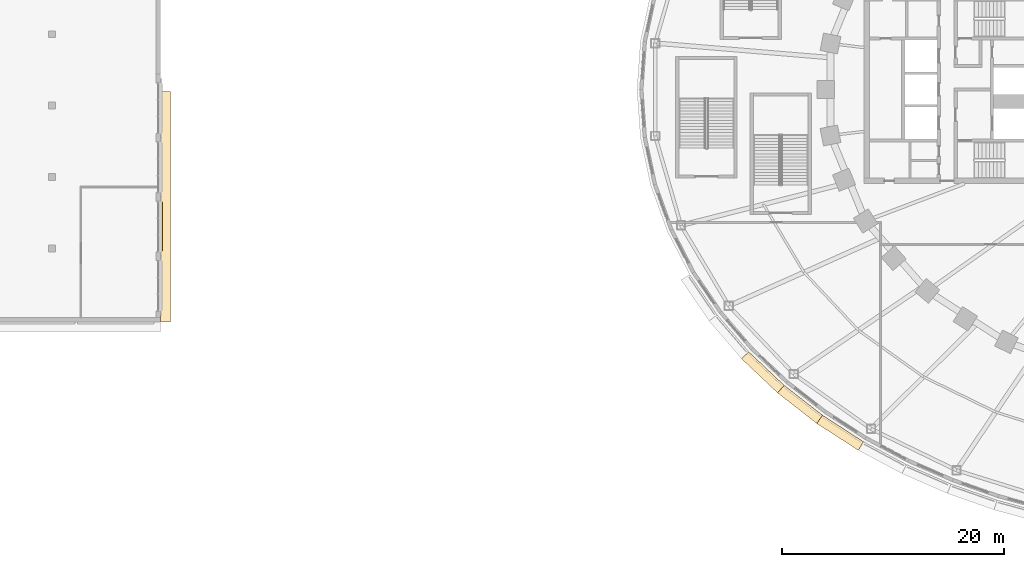
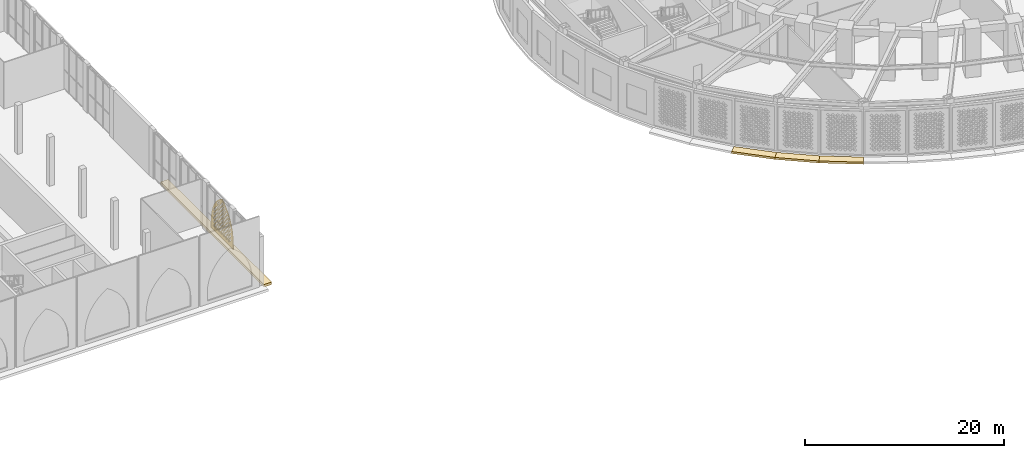
# One storey, part 35 of 74: 5 coverings.
"""IFC4 building model written with IfcOpenShell, lengths in metres."""

from ifc_helpers import new_model, si_unit, direction, frame, origin, place, context, subcontext, project, spatial, polyline, outline, extrude, material, layer, layer_set, type_object, element, save


model = new_model("IFC4")

# Units and contexts
model_context = context("Model", 3, precision=1e-05, world=origin(), true_north=direction((0.0, 1.0)))
body_context = subcontext(model_context, "Body", "Model", "MODEL_VIEW")
ifc_project = project(units=[si_unit("LENGTHUNIT", "METRE"), si_unit("AREAUNIT", "SQUARE_METRE"), si_unit("VOLUMEUNIT", "CUBIC_METRE"), si_unit("PLANEANGLEUNIT", "RADIAN"), si_unit("MASSUNIT", "GRAM", prefix="KILO")], contexts=[model_context])

# Site, building, storey
site_placement = place(None, origin())
site = spatial("IfcSite", under=ifc_project, at=site_placement, CompositionType="ELEMENT")
building_placement = place(site_placement, origin())
building = spatial("IfcBuilding", under=site, at=building_placement, Name="Noorbagh Ring Tower", CompositionType="ELEMENT")
storey_placement = place(building_placement, frame((0.0, 0.0, 13.5)))
storey = spatial("IfcBuildingStorey", under=building, at=storey_placement, Name="L02", CompositionType="ELEMENT", Elevation=13.5)

# Coverings
ifc_material_1 = material(Name="Red sandstone eave", Category="masonry")
covering_type_1 = type_object("IfcCoveringType", Name="STH-CHHAJJA", PredefinedType="USERDEFINED", material=ifc_material_1)
covering_1_placement = place(storey_placement, frame((0.0, 0.0, -0.300048828125)))
element("IfcCovering", 1, at=covering_1_placement, inside=storey, type_object=covering_type_1, Name="Chhajja eave", ObjectType="CHHAJJA", PredefinedType="USERDEFINED", context=body_context, shape_type="SweptSolid", body=[
    extrude(outline(polyline([(-95.0, -21.0), (-95.0, -0.199951171875), (-94.10009765625, -0.199951171875), (-94.10009765625, -21.0), (-95.0, -21.0)])), origin(), (0.0, 0.0, 1.0), 0.300048828125),
])
ifc_material_2 = material(Name="Red sandstone jali", Category="masonry")
ifc_layer = layer(ifc_material_2, 0.0400390625)
ifc_layer_set = layer_set([ifc_layer], Name="Red sandstone jali")
covering_type_2 = type_object("IfcCoveringType", Name="STH-JALI", PredefinedType="USERDEFINED", material=ifc_layer_set)
covering_2_placement = place(storey_placement, frame((-94.840087890625, -14.60009765625, 0.39990234375), z_axis=(1.0, 0.0, 0.0), x_axis=(0.0, 1.0, 0.0)))
element("IfcCovering", 2, at=covering_2_placement, inside=storey, type_object=covering_type_2, Name="Jali screen", ObjectType="SCREEN", PredefinedType="USERDEFINED", context=body_context, shape_type="SweptSolid", body=[
    extrude(outline(polyline([(0.0, 0.0), (4.4501953125, 0.0), (4.4501953125, 1.0), (4.412109375, 1.580810546875), (4.298583984375, 2.15185546875), (4.111328125, 2.702880859375), (3.85400390625, 3.22509765625), (3.530517578125, 3.708984375), (3.146728515625, 4.146728515625), (2.708984375, 4.530517578125), (2.22509765625, 4.85400390625), (1.7412109375, 4.530517578125), (1.303466796875, 4.146728515625), (0.919677734375, 3.708984375), (0.59619140625, 3.22509765625), (0.3388671875, 2.702880859375), (0.151611328125, 2.15185546875), (0.0380859375, 1.580810546875), (0.0, 1.0), (0.0, 0.0)]), holes=[polyline([(0.669921875, 0.552001953125), (0.85009765625, 0.371826171875), (1.030029296875, 0.552001953125), (0.85009765625, 0.73193359375), (0.669921875, 0.552001953125)]), polyline([(1.169921875, 0.552001953125), (1.35009765625, 0.371826171875), (1.530029296875, 0.552001953125), (1.35009765625, 0.73193359375), (1.169921875, 0.552001953125)]), polyline([(1.669921875, 0.552001953125), (1.85009765625, 0.371826171875), (2.030029296875, 0.552001953125), (1.85009765625, 0.73193359375), (1.669921875, 0.552001953125)]), polyline([(2.169921875, 0.552001953125), (2.35009765625, 0.371826171875), (2.530029296875, 0.552001953125), (2.35009765625, 0.73193359375), (2.169921875, 0.552001953125)]), polyline([(2.669921875, 0.552001953125), (2.85009765625, 0.371826171875), (3.030029296875, 0.552001953125), (2.85009765625, 0.73193359375), (2.669921875, 0.552001953125)]), polyline([(3.169921875, 0.552001953125), (3.35009765625, 0.371826171875), (3.530029296875, 0.552001953125), (3.35009765625, 0.73193359375), (3.169921875, 0.552001953125)]), polyline([(3.669921875, 0.552001953125), (3.85009765625, 0.371826171875), (4.030029296875, 0.552001953125), (3.85009765625, 0.73193359375), (3.669921875, 0.552001953125)]), polyline([(0.419921875, 0.802001953125), (0.60009765625, 0.621826171875), (0.780029296875, 0.802001953125), (0.60009765625, 0.98193359375), (0.419921875, 0.802001953125)]), polyline([(0.919921875, 0.802001953125), (1.10009765625, 0.621826171875), (1.280029296875, 0.802001953125), (1.10009765625, 0.98193359375), (0.919921875, 0.802001953125)]), polyline([(1.419921875, 0.802001953125), (1.60009765625, 0.621826171875), (1.780029296875, 0.802001953125), (1.60009765625, 0.98193359375), (1.419921875, 0.802001953125)]), polyline([(1.919921875, 0.802001953125), (2.10009765625, 0.621826171875), (2.280029296875, 0.802001953125), (2.10009765625, 0.98193359375), (1.919921875, 0.802001953125)]), polyline([(2.419921875, 0.802001953125), (2.60009765625, 0.621826171875), (2.780029296875, 0.802001953125), (2.60009765625, 0.98193359375), (2.419921875, 0.802001953125)]), polyline([(2.919921875, 0.802001953125), (3.10009765625, 0.621826171875), (3.280029296875, 0.802001953125), (3.10009765625, 0.98193359375), (2.919921875, 0.802001953125)]), polyline([(3.419921875, 0.802001953125), (3.60009765625, 0.621826171875), (3.780029296875, 0.802001953125), (3.60009765625, 0.98193359375), (3.419921875, 0.802001953125)]), polyline([(0.669921875, 1.052001953125), (0.85009765625, 0.871826171875), (1.030029296875, 1.052001953125), (0.85009765625, 1.23193359375), (0.669921875, 1.052001953125)]), polyline([(1.169921875, 1.052001953125), (1.35009765625, 0.871826171875), (1.530029296875, 1.052001953125), (1.35009765625, 1.23193359375), (1.169921875, 1.052001953125)]), polyline([(1.669921875, 1.052001953125), (1.85009765625, 0.871826171875), (2.030029296875, 1.052001953125), (1.85009765625, 1.23193359375), (1.669921875, 1.052001953125)]), polyline([(2.169921875, 1.052001953125), (2.35009765625, 0.871826171875), (2.530029296875, 1.052001953125), (2.35009765625, 1.23193359375), (2.169921875, 1.052001953125)]), polyline([(2.669921875, 1.052001953125), (2.85009765625, 0.871826171875), (3.030029296875, 1.052001953125), (2.85009765625, 1.23193359375), (2.669921875, 1.052001953125)]), polyline([(3.169921875, 1.052001953125), (3.35009765625, 0.871826171875), (3.530029296875, 1.052001953125), (3.35009765625, 1.23193359375), (3.169921875, 1.052001953125)]), polyline([(3.669921875, 1.052001953125), (3.85009765625, 0.871826171875), (4.030029296875, 1.052001953125), (3.85009765625, 1.23193359375), (3.669921875, 1.052001953125)]), polyline([(0.419921875, 1.302001953125), (0.60009765625, 1.121826171875), (0.780029296875, 1.302001953125), (0.60009765625, 1.48193359375), (0.419921875, 1.302001953125)]), polyline([(0.919921875, 1.302001953125), (1.10009765625, 1.121826171875), (1.280029296875, 1.302001953125), (1.10009765625, 1.48193359375), (0.919921875, 1.302001953125)]), polyline([(1.419921875, 1.302001953125), (1.60009765625, 1.121826171875), (1.780029296875, 1.302001953125), (1.60009765625, 1.48193359375), (1.419921875, 1.302001953125)]), polyline([(1.919921875, 1.302001953125), (2.10009765625, 1.121826171875), (2.280029296875, 1.302001953125), (2.10009765625, 1.48193359375), (1.919921875, 1.302001953125)]), polyline([(2.419921875, 1.302001953125), (2.60009765625, 1.121826171875), (2.780029296875, 1.302001953125), (2.60009765625, 1.48193359375), (2.419921875, 1.302001953125)]), polyline([(2.919921875, 1.302001953125), (3.10009765625, 1.121826171875), (3.280029296875, 1.302001953125), (3.10009765625, 1.48193359375), (2.919921875, 1.302001953125)]), polyline([(3.419921875, 1.302001953125), (3.60009765625, 1.121826171875), (3.780029296875, 1.302001953125), (3.60009765625, 1.48193359375), (3.419921875, 1.302001953125)]), polyline([(0.669921875, 1.552001953125), (0.85009765625, 1.371826171875), (1.030029296875, 1.552001953125), (0.85009765625, 1.73193359375), (0.669921875, 1.552001953125)]), polyline([(1.169921875, 1.552001953125), (1.35009765625, 1.371826171875), (1.530029296875, 1.552001953125), (1.35009765625, 1.73193359375), (1.169921875, 1.552001953125)]), polyline([(1.669921875, 1.552001953125), (1.85009765625, 1.371826171875), (2.030029296875, 1.552001953125), (1.85009765625, 1.73193359375), (1.669921875, 1.552001953125)]), polyline([(2.169921875, 1.552001953125), (2.35009765625, 1.371826171875), (2.530029296875, 1.552001953125), (2.35009765625, 1.73193359375), (2.169921875, 1.552001953125)]), polyline([(2.669921875, 1.552001953125), (2.85009765625, 1.371826171875), (3.030029296875, 1.552001953125), (2.85009765625, 1.73193359375), (2.669921875, 1.552001953125)]), polyline([(3.169921875, 1.552001953125), (3.35009765625, 1.371826171875), (3.530029296875, 1.552001953125), (3.35009765625, 1.73193359375), (3.169921875, 1.552001953125)]), polyline([(3.669921875, 1.552001953125), (3.85009765625, 1.371826171875), (4.030029296875, 1.552001953125), (3.85009765625, 1.73193359375), (3.669921875, 1.552001953125)]), polyline([(0.419921875, 1.802001953125), (0.60009765625, 1.621826171875), (0.780029296875, 1.802001953125), (0.60009765625, 1.98193359375), (0.419921875, 1.802001953125)]), polyline([(0.919921875, 1.802001953125), (1.10009765625, 1.621826171875), (1.280029296875, 1.802001953125), (1.10009765625, 1.98193359375), (0.919921875, 1.802001953125)]), polyline([(1.419921875, 1.802001953125), (1.60009765625, 1.621826171875), (1.780029296875, 1.802001953125), (1.60009765625, 1.98193359375), (1.419921875, 1.802001953125)]), polyline([(1.919921875, 1.802001953125), (2.10009765625, 1.621826171875), (2.280029296875, 1.802001953125), (2.10009765625, 1.98193359375), (1.919921875, 1.802001953125)]), polyline([(2.419921875, 1.802001953125), (2.60009765625, 1.621826171875), (2.780029296875, 1.802001953125), (2.60009765625, 1.98193359375), (2.419921875, 1.802001953125)]), polyline([(2.919921875, 1.802001953125), (3.10009765625, 1.621826171875), (3.280029296875, 1.802001953125), (3.10009765625, 1.98193359375), (2.919921875, 1.802001953125)]), polyline([(3.419921875, 1.802001953125), (3.60009765625, 1.621826171875), (3.780029296875, 1.802001953125), (3.60009765625, 1.98193359375), (3.419921875, 1.802001953125)]), polyline([(0.669921875, 2.052001953125), (0.85009765625, 1.871826171875), (1.030029296875, 2.052001953125), (0.85009765625, 2.23193359375), (0.669921875, 2.052001953125)]), polyline([(1.169921875, 2.052001953125), (1.35009765625, 1.871826171875), (1.530029296875, 2.052001953125), (1.35009765625, 2.23193359375), (1.169921875, 2.052001953125)]), polyline([(1.669921875, 2.052001953125), (1.85009765625, 1.871826171875), (2.030029296875, 2.052001953125), (1.85009765625, 2.23193359375), (1.669921875, 2.052001953125)]), polyline([(2.169921875, 2.052001953125), (2.35009765625, 1.871826171875), (2.530029296875, 2.052001953125), (2.35009765625, 2.23193359375), (2.169921875, 2.052001953125)]), polyline([(2.669921875, 2.052001953125), (2.85009765625, 1.871826171875), (3.030029296875, 2.052001953125), (2.85009765625, 2.23193359375), (2.669921875, 2.052001953125)]), polyline([(3.169921875, 2.052001953125), (3.35009765625, 1.871826171875), (3.530029296875, 2.052001953125), (3.35009765625, 2.23193359375), (3.169921875, 2.052001953125)]), polyline([(3.669921875, 2.052001953125), (3.85009765625, 1.871826171875), (4.030029296875, 2.052001953125), (3.85009765625, 2.23193359375), (3.669921875, 2.052001953125)]), polyline([(0.419921875, 2.302001953125), (0.60009765625, 2.121826171875), (0.780029296875, 2.302001953125), (0.60009765625, 2.48193359375), (0.419921875, 2.302001953125)]), polyline([(0.919921875, 2.302001953125), (1.10009765625, 2.121826171875), (1.280029296875, 2.302001953125), (1.10009765625, 2.48193359375), (0.919921875, 2.302001953125)]), polyline([(1.419921875, 2.302001953125), (1.60009765625, 2.121826171875), (1.780029296875, 2.302001953125), (1.60009765625, 2.48193359375), (1.419921875, 2.302001953125)]), polyline([(1.919921875, 2.302001953125), (2.10009765625, 2.121826171875), (2.280029296875, 2.302001953125), (2.10009765625, 2.48193359375), (1.919921875, 2.302001953125)]), polyline([(2.419921875, 2.302001953125), (2.60009765625, 2.121826171875), (2.780029296875, 2.302001953125), (2.60009765625, 2.48193359375), (2.419921875, 2.302001953125)]), polyline([(2.919921875, 2.302001953125), (3.10009765625, 2.121826171875), (3.280029296875, 2.302001953125), (3.10009765625, 2.48193359375), (2.919921875, 2.302001953125)]), polyline([(3.419921875, 2.302001953125), (3.60009765625, 2.121826171875), (3.780029296875, 2.302001953125), (3.60009765625, 2.48193359375), (3.419921875, 2.302001953125)]), polyline([(0.669921875, 2.552001953125), (0.85009765625, 2.371826171875), (1.030029296875, 2.552001953125), (0.85009765625, 2.73193359375), (0.669921875, 2.552001953125)]), polyline([(1.169921875, 2.552001953125), (1.35009765625, 2.371826171875), (1.530029296875, 2.552001953125), (1.35009765625, 2.73193359375), (1.169921875, 2.552001953125)]), polyline([(1.669921875, 2.552001953125), (1.85009765625, 2.371826171875), (2.030029296875, 2.552001953125), (1.85009765625, 2.73193359375), (1.669921875, 2.552001953125)]), polyline([(2.169921875, 2.552001953125), (2.35009765625, 2.371826171875), (2.530029296875, 2.552001953125), (2.35009765625, 2.73193359375), (2.169921875, 2.552001953125)]), polyline([(2.669921875, 2.552001953125), (2.85009765625, 2.371826171875), (3.030029296875, 2.552001953125), (2.85009765625, 2.73193359375), (2.669921875, 2.552001953125)]), polyline([(3.169921875, 2.552001953125), (3.35009765625, 2.371826171875), (3.530029296875, 2.552001953125), (3.35009765625, 2.73193359375), (3.169921875, 2.552001953125)]), polyline([(3.669921875, 2.552001953125), (3.85009765625, 2.371826171875), (4.030029296875, 2.552001953125), (3.85009765625, 2.73193359375), (3.669921875, 2.552001953125)]), polyline([(0.919921875, 2.802001953125), (1.10009765625, 2.621826171875), (1.280029296875, 2.802001953125), (1.10009765625, 2.98193359375), (0.919921875, 2.802001953125)]), polyline([(1.419921875, 2.802001953125), (1.60009765625, 2.621826171875), (1.780029296875, 2.802001953125), (1.60009765625, 2.98193359375), (1.419921875, 2.802001953125)]), polyline([(1.919921875, 2.802001953125), (2.10009765625, 2.621826171875), (2.280029296875, 2.802001953125), (2.10009765625, 2.98193359375), (1.919921875, 2.802001953125)]), polyline([(2.419921875, 2.802001953125), (2.60009765625, 2.621826171875), (2.780029296875, 2.802001953125), (2.60009765625, 2.98193359375), (2.419921875, 2.802001953125)]), polyline([(2.919921875, 2.802001953125), (3.10009765625, 2.621826171875), (3.280029296875, 2.802001953125), (3.10009765625, 2.98193359375), (2.919921875, 2.802001953125)]), polyline([(3.419921875, 2.802001953125), (3.60009765625, 2.621826171875), (3.780029296875, 2.802001953125), (3.60009765625, 2.98193359375), (3.419921875, 2.802001953125)]), polyline([(0.669921875, 3.052001953125), (0.85009765625, 2.871826171875), (1.030029296875, 3.052001953125), (0.85009765625, 3.23193359375), (0.669921875, 3.052001953125)]), polyline([(1.169921875, 3.052001953125), (1.35009765625, 2.871826171875), (1.530029296875, 3.052001953125), (1.35009765625, 3.23193359375), (1.169921875, 3.052001953125)]), polyline([(1.669921875, 3.052001953125), (1.85009765625, 2.871826171875), (2.030029296875, 3.052001953125), (1.85009765625, 3.23193359375), (1.669921875, 3.052001953125)]), polyline([(2.169921875, 3.052001953125), (2.35009765625, 2.871826171875), (2.530029296875, 3.052001953125), (2.35009765625, 3.23193359375), (2.169921875, 3.052001953125)]), polyline([(2.669921875, 3.052001953125), (2.85009765625, 2.871826171875), (3.030029296875, 3.052001953125), (2.85009765625, 3.23193359375), (2.669921875, 3.052001953125)]), polyline([(3.169921875, 3.052001953125), (3.35009765625, 2.871826171875), (3.530029296875, 3.052001953125), (3.35009765625, 3.23193359375), (3.169921875, 3.052001953125)]), polyline([(0.919921875, 3.302001953125), (1.10009765625, 3.121826171875), (1.280029296875, 3.302001953125), (1.10009765625, 3.48193359375), (0.919921875, 3.302001953125)]), polyline([(1.419921875, 3.302001953125), (1.60009765625, 3.121826171875), (1.780029296875, 3.302001953125), (1.60009765625, 3.48193359375), (1.419921875, 3.302001953125)]), polyline([(1.919921875, 3.302001953125), (2.10009765625, 3.121826171875), (2.280029296875, 3.302001953125), (2.10009765625, 3.48193359375), (1.919921875, 3.302001953125)]), polyline([(2.419921875, 3.302001953125), (2.60009765625, 3.121826171875), (2.780029296875, 3.302001953125), (2.60009765625, 3.48193359375), (2.419921875, 3.302001953125)]), polyline([(2.919921875, 3.302001953125), (3.10009765625, 3.121826171875), (3.280029296875, 3.302001953125), (3.10009765625, 3.48193359375), (2.919921875, 3.302001953125)]), polyline([(1.169921875, 3.552001953125), (1.35009765625, 3.371826171875), (1.530029296875, 3.552001953125), (1.35009765625, 3.73193359375), (1.169921875, 3.552001953125)]), polyline([(1.669921875, 3.552001953125), (1.85009765625, 3.371826171875), (2.030029296875, 3.552001953125), (1.85009765625, 3.73193359375), (1.669921875, 3.552001953125)]), polyline([(2.169921875, 3.552001953125), (2.35009765625, 3.371826171875), (2.530029296875, 3.552001953125), (2.35009765625, 3.73193359375), (2.169921875, 3.552001953125)]), polyline([(2.669921875, 3.552001953125), (2.85009765625, 3.371826171875), (3.030029296875, 3.552001953125), (2.85009765625, 3.73193359375), (2.669921875, 3.552001953125)]), polyline([(1.419921875, 3.802001953125), (1.60009765625, 3.621826171875), (1.780029296875, 3.802001953125), (1.60009765625, 3.98193359375), (1.419921875, 3.802001953125)]), polyline([(1.919921875, 3.802001953125), (2.10009765625, 3.621826171875), (2.280029296875, 3.802001953125), (2.10009765625, 3.98193359375), (1.919921875, 3.802001953125)]), polyline([(2.419921875, 3.802001953125), (2.60009765625, 3.621826171875), (2.780029296875, 3.802001953125), (2.60009765625, 3.98193359375), (2.419921875, 3.802001953125)]), polyline([(2.919921875, 3.802001953125), (3.10009765625, 3.621826171875), (3.280029296875, 3.802001953125), (3.10009765625, 3.98193359375), (2.919921875, 3.802001953125)]), polyline([(1.669921875, 4.052001953125), (1.85009765625, 3.871826171875), (2.030029296875, 4.052001953125), (1.85009765625, 4.23193359375), (1.669921875, 4.052001953125)]), polyline([(2.169921875, 4.052001953125), (2.35009765625, 3.871826171875), (2.530029296875, 4.052001953125), (2.35009765625, 4.23193359375), (2.169921875, 4.052001953125)]), polyline([(2.669921875, 4.052001953125), (2.85009765625, 3.871826171875), (3.030029296875, 4.052001953125), (2.85009765625, 4.23193359375), (2.669921875, 4.052001953125)]), polyline([(1.919921875, 4.302001953125), (2.10009765625, 4.121826171875), (2.280029296875, 4.302001953125), (2.10009765625, 4.48193359375), (1.919921875, 4.302001953125)])]), origin(), (0.0, 0.0, -1.0), 0.0400390625),
])
ifc_material_3 = material(Name="Red sandstone eave", Category="masonry")
covering_type_3 = type_object("IfcCoveringType", Name="STY-CHHAJJA", PredefinedType="USERDEFINED", material=ifc_material_3)
covering_3_placement = place(storey_placement, frame((0.0, 0.0, -0.25)))
element("IfcCovering", 3, at=covering_3_placement, inside=storey, type_object=covering_type_3, Name="Chhajja eave", ObjectType="CHHAJJA", PredefinedType="USERDEFINED", context=body_context, shape_type="SweptSolid", body=[
    extrude(outline(polyline([(-41.906494140625, -23.682373046875), (-38.71435546875, -26.70458984375), (-39.3017578125, -27.3876953125), (-42.55908203125, -24.3037109375), (-41.906494140625, -23.682373046875)])), origin(), (0.0, 0.0, 1.0), 0.25),
])
covering_4_placement = place(storey_placement, frame((0.0, 0.0, -0.25)))
element("IfcCovering", 4, at=covering_4_placement, inside=storey, type_object=covering_type_3, Name="Chhajja eave", ObjectType="CHHAJJA", PredefinedType="USERDEFINED", context=body_context, shape_type="SweptSolid", body=[
    extrude(outline(polyline([(-38.71435546875, -26.70458984375), (-35.247802734375, -29.408203125), (-35.769775390625, -30.142578125), (-39.3017578125, -27.3876953125), (-38.71435546875, -26.70458984375)])), origin(), (0.0, 0.0, 1.0), 0.25),
])
covering_5_placement = place(storey_placement, frame((0.0, 0.0, -0.25)))
element("IfcCovering", 5, at=covering_5_placement, inside=storey, type_object=covering_type_3, Name="Chhajja eave", ObjectType="CHHAJJA", PredefinedType="USERDEFINED", context=body_context, shape_type="SweptSolid", body=[
    extrude(outline(polyline([(-35.247802734375, -29.408203125), (-31.5546875, -31.793701171875), (-32.011474609375, -32.56982421875), (-35.769775390625, -30.142578125), (-35.247802734375, -29.408203125)])), origin(), (0.0, 0.0, 1.0), 0.25),
])

save(model, "model.ifc")
